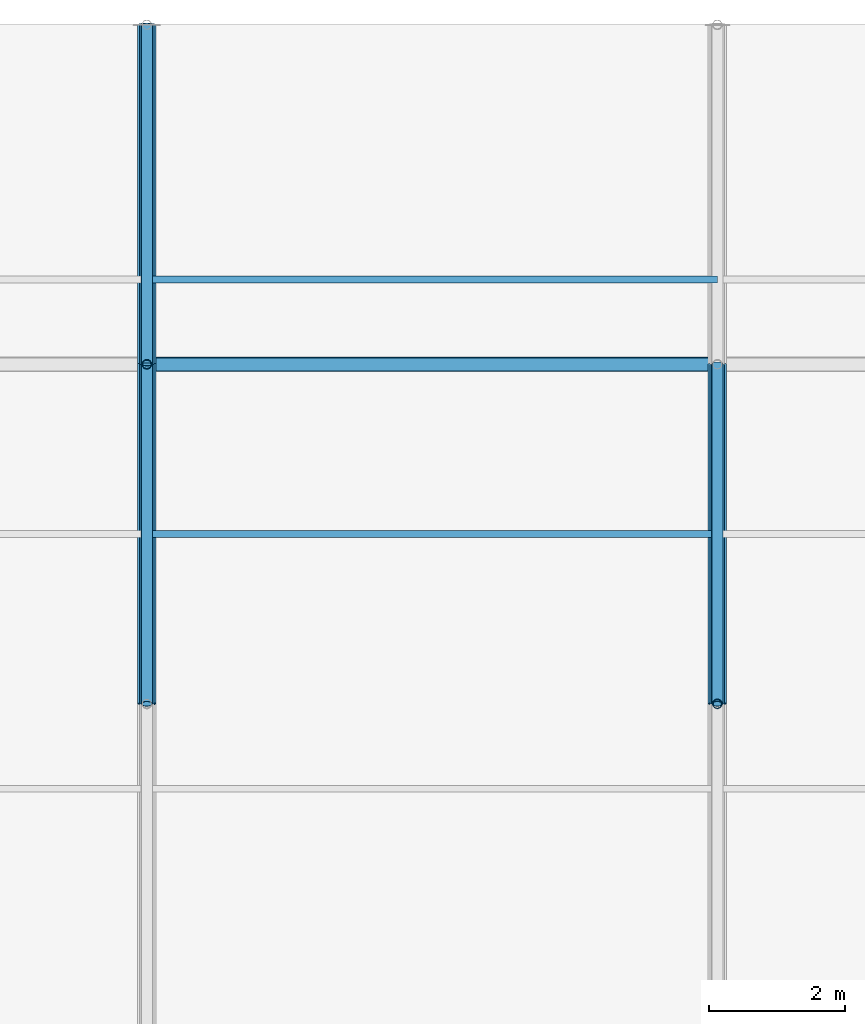
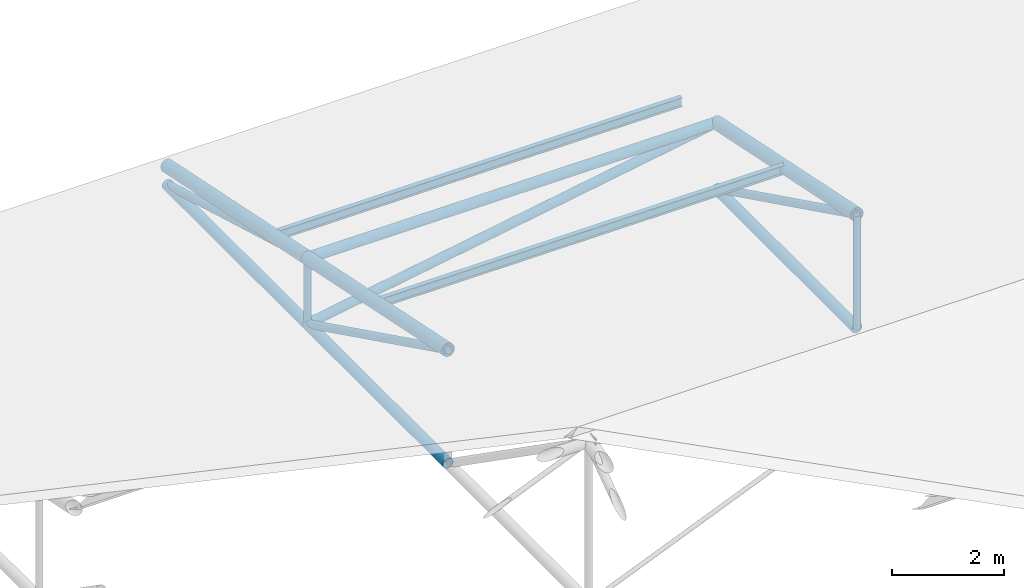
# One storey, part 107 of 194: 13 members, 2 beams.
"""IFC4 building model written with IfcOpenShell, lengths in metres."""

from ifc_helpers import new_model, si_unit, direction, frame, origin, origin_2d, place, context, subcontext, project, spatial, hollow_circle, i_section, extrude, material, material_profile, profile_set, type_object, element, save


model = new_model("IFC4")

# Units and contexts
model_context = context("Model", 3, precision=1e-05, world=origin(), true_north=direction((0.0, 1.0)))
body_context = subcontext(model_context, "Body", "Model", "MODEL_VIEW")
ifc_project = project(units=[si_unit("LENGTHUNIT", "METRE"), si_unit("AREAUNIT", "SQUARE_METRE"), si_unit("VOLUMEUNIT", "CUBIC_METRE"), si_unit("PLANEANGLEUNIT", "RADIAN"), si_unit("MASSUNIT", "GRAM", prefix="KILO")], contexts=[model_context])

# Site, building, storey
site_placement = place(None, origin())
site = spatial("IfcSite", under=ifc_project, at=site_placement, CompositionType="ELEMENT")
building_placement = place(site_placement, origin())
building = spatial("IfcBuilding", under=site, at=building_placement, Name="Kazenagashi Tramway Depot", CompositionType="ELEMENT")
storey_placement = place(building_placement, frame((0.0, 0.0, 23.7)))
storey = spatial("IfcBuildingStorey", under=building, at=storey_placement, Name="ROOF", CompositionType="ELEMENT", Elevation=23.7)

# Beams
ifc_material_1 = material(Name="Steel SN400B", Category="steel")
ifc_material_profile_1 = material_profile(ifc_material_1, i_section(OverallWidth=0.1, OverallDepth=0.2, WebThickness=0.0055, FlangeThickness=0.008, at=origin_2d()), Name="H-200x100x5.5x8")
ifc_profile_set_1 = profile_set([ifc_material_profile_1], Name="Steel SN400B")
beam_type = type_object("IfcBeamType", Name="PR-01", PredefinedType="USERDEFINED", material=ifc_profile_set_1)
for number, where, z_axis, x_axis, name in (
    (1, (162.4, 122.5, -12.13), (1.0, 0.0, 0.0), (0.0, 1.0, 0.0), "Beam PR-01 BM-2212"),
    (2, (162.4, 126.25, -12.955), (1.0, 0.0, 0.0), (0.0, 1.0, 0.0), "Beam PR-01 BM-2230"),
):
    element("IfcBeam", number, at=place(storey_placement, frame(where, z_axis=z_axis, x_axis=x_axis)), inside=storey, type_object=beam_type, Name=name, ObjectType="PURLIN", PredefinedType="USERDEFINED", context=body_context, shape_type="SweptSolid", body=[
        extrude(i_section(OverallWidth=0.1, OverallDepth=0.2, WebThickness=0.0055, FlangeThickness=0.008, at=origin_2d()), origin(), (0.0, 0.0, 1.0), 8.4),
    ])

# Members
ifc_material_2 = material(Name="Steel STK490", Category="steel")
ifc_material_profile_2 = material_profile(ifc_material_2, hollow_circle(Radius=0.1337, WallThickness=0.0093, at=origin_2d()), Name="CHS-267.4x9.3")
ifc_profile_set_2 = profile_set([ifc_material_profile_2], Name="Steel STK490")
member_type_1 = type_object("IfcMemberType", Name="TC-01", PredefinedType="CHORD", material=ifc_profile_set_2)
member_1_placement = place(storey_placement, frame((162.4, 120.0, -11.633), z_axis=(0.0, 0.979279174591, -0.202514933305), x_axis=(-1.0, 0.0, 0.0)))
element("IfcMember", 3, at=member_1_placement, inside=storey, type_object=member_type_1, Name="Tubular Space Frame TC-01 MEM-0898", PredefinedType="CHORD", context=body_context, shape_type="SweptSolid", body=[
    extrude(hollow_circle(Radius=0.1337, WallThickness=0.0093, at=origin_2d()), origin(), (0.0, 0.0, 1.0), 5.105796),
])
member_2_placement = place(storey_placement, frame((162.4, 125.0, -12.667), z_axis=(0.0, 0.979317999984, -0.202327098797), x_axis=(-1.0, 0.0, 0.0)))
element("IfcMember", 4, at=member_2_placement, inside=storey, type_object=member_type_1, Name="Tubular Space Frame TC-01 MEM-0901", PredefinedType="CHORD", context=body_context, shape_type="SweptSolid", body=[
    extrude(hollow_circle(Radius=0.1337, WallThickness=0.0093, at=origin_2d()), origin(), (0.0, 0.0, 1.0), 5.105594),
])
member_3_placement = place(storey_placement, frame((170.8, 120.0, -11.633), z_axis=(0.0, 0.979279174591, -0.202514933305), x_axis=(-1.0, 0.0, 0.0)))
element("IfcMember", 5, at=member_3_placement, inside=storey, type_object=member_type_1, Name="Tubular Space Frame TC-01 MEM-0959", PredefinedType="CHORD", context=body_context, shape_type="SweptSolid", body=[
    extrude(hollow_circle(Radius=0.1337, WallThickness=0.0093, at=origin_2d()), origin(), (0.0, 0.0, 1.0), 5.105796),
])
ifc_material_profile_3 = material_profile(ifc_material_2, hollow_circle(Radius=0.10815, WallThickness=0.0082, at=origin_2d()), Name="CHS-216.3x8.2")
ifc_profile_set_3 = profile_set([ifc_material_profile_3], Name="Steel STK490")
member_type_2 = type_object("IfcMemberType", Name="TC-02", PredefinedType="CHORD", material=ifc_profile_set_3)
for number, where, z_axis, x_axis, name in (
    (6, (162.4, 120.0, -14.1), (0.0, 1.0, 0.0), (-1.0, 0.0, 0.0), "Tubular Space Frame TC-02 MEM-0899"),
    (7, (162.4, 125.0, -14.1), (0.0, 1.0, 0.0), (-1.0, 0.0, 0.0), "Tubular Space Frame TC-02 MEM-0902"),
):
    element("IfcMember", number, at=place(storey_placement, frame(where, z_axis=z_axis, x_axis=x_axis)), inside=storey, type_object=member_type_2, Name=name, PredefinedType="CHORD", context=body_context, shape_type="SweptSolid", body=[
        extrude(hollow_circle(Radius=0.10815, WallThickness=0.0082, at=origin_2d()), origin(), (0.0, 0.0, 1.0), 5.0),
    ])
member_4_placement = place(storey_placement, frame((162.4, 125.0, -12.667), z_axis=(1.0, 0.0, 0.0), x_axis=(0.0, 1.0, 0.0)))
element("IfcMember", 8, at=member_4_placement, inside=storey, type_object=member_type_2, Name="Tubular Space Frame TC-02 MEM-0914", PredefinedType="CHORD", context=body_context, shape_type="SweptSolid", body=[
    extrude(hollow_circle(Radius=0.10815, WallThickness=0.0082, at=origin_2d()), origin(), (0.0, 0.0, 1.0), 8.4),
])
member_5_placement = place(storey_placement, frame((170.8, 120.0, -14.1), z_axis=(0.0, 1.0, 0.0), x_axis=(-1.0, 0.0, 0.0)))
element("IfcMember", 9, at=member_5_placement, inside=storey, type_object=member_type_2, Name="Tubular Space Frame TC-02 MEM-0960", PredefinedType="CHORD", context=body_context, shape_type="SweptSolid", body=[
    extrude(hollow_circle(Radius=0.10815, WallThickness=0.0082, at=origin_2d()), origin(), (0.0, 0.0, 1.0), 5.0),
])
ifc_material_profile_4 = material_profile(ifc_material_2, hollow_circle(Radius=0.0826, WallThickness=0.0071, at=origin_2d()), Name="CHS-165.2x7.1")
ifc_profile_set_4 = profile_set([ifc_material_profile_4], Name="Steel STK490")
member_type_3 = type_object("IfcMemberType", Name="TS-01", PredefinedType="STRUT", material=ifc_profile_set_4)
member_6_placement = place(storey_placement, frame((162.4, 120.0, -11.633), z_axis=(0.0, 0.896782162482, -0.442472318969), x_axis=(-1.0, 0.0, 0.0)))
element("IfcMember", 10, at=member_6_placement, inside=storey, type_object=member_type_3, Name="Tubular Space Frame TS-01 MEM-0900", PredefinedType="STRUT", context=body_context, shape_type="SweptSolid", body=[
    extrude(hollow_circle(Radius=0.0826, WallThickness=0.0071, at=origin_2d()), origin(), (0.0, 0.0, 1.0), 5.57549),
])
member_7_placement = place(storey_placement, frame((162.4, 125.0, -12.667), z_axis=(0.0, 0.961298717795, -0.27550821252), x_axis=(-1.0, 0.0, 0.0)))
element("IfcMember", 11, at=member_7_placement, inside=storey, type_object=member_type_3, Name="Tubular Space Frame TS-01 MEM-0903", PredefinedType="STRUT", context=body_context, shape_type="SweptSolid", body=[
    extrude(hollow_circle(Radius=0.0826, WallThickness=0.0071, at=origin_2d()), origin(), (0.0, 0.0, 1.0), 5.201297),
])
member_8_placement = place(storey_placement, frame((170.8, 120.0, -11.633), z_axis=(0.0, 0.896782162482, -0.442472318969), x_axis=(-1.0, 0.0, 0.0)))
element("IfcMember", 12, at=member_8_placement, inside=storey, type_object=member_type_3, Name="Tubular Space Frame TS-01 MEM-0961", PredefinedType="STRUT", context=body_context, shape_type="SweptSolid", body=[
    extrude(hollow_circle(Radius=0.0826, WallThickness=0.0071, at=origin_2d()), origin(), (0.0, 0.0, 1.0), 5.57549),
])
ifc_material_profile_5 = material_profile(ifc_material_2, hollow_circle(Radius=0.0699, WallThickness=0.0066, at=origin_2d()), Name="CHS-139.8x6.6")
ifc_profile_set_5 = profile_set([ifc_material_profile_5], Name="Steel STK490")
member_type_4 = type_object("IfcMemberType", Name="TS-02", PredefinedType="STRUT", material=ifc_profile_set_5)
member_9_placement = place(storey_placement, frame((162.4, 125.0, -14.1), z_axis=(0.0, 0.0, 1.0), x_axis=(1.0, 0.0, 0.0)))
element("IfcMember", 13, at=member_9_placement, inside=storey, type_object=member_type_4, Name="Tubular Space Frame TS-02 MEM-0908", PredefinedType="STRUT", context=body_context, shape_type="SweptSolid", body=[
    extrude(hollow_circle(Radius=0.0699, WallThickness=0.0066, at=origin_2d()), origin(), (0.0, 0.0, 1.0), 1.433),
])
member_10_placement = place(storey_placement, frame((170.8, 120.0, -14.1), z_axis=(0.0, 0.0, 1.0), x_axis=(1.0, 0.0, 0.0)))
element("IfcMember", 14, at=member_10_placement, inside=storey, type_object=member_type_4, Name="Tubular Space Frame TS-02 MEM-0968", PredefinedType="STRUT", context=body_context, shape_type="SweptSolid", body=[
    extrude(hollow_circle(Radius=0.0699, WallThickness=0.0066, at=origin_2d()), origin(), (0.0, 0.0, 1.0), 2.467),
])
ifc_material_profile_6 = material_profile(ifc_material_2, hollow_circle(Radius=0.09535, WallThickness=0.007, at=origin_2d()), Name="CHS-190.7x7.0")
ifc_profile_set_6 = profile_set([ifc_material_profile_6], Name="Steel STK490")
member_type_5 = type_object("IfcMemberType", Name="TS-05", PredefinedType="STRUT", material=ifc_profile_set_6)
member_11_placement = place(storey_placement, frame((162.4, 125.0, -14.1), z_axis=(0.985758734117, 0.0, 0.168165745951), x_axis=(0.0, 1.0, 0.0)))
element("IfcMember", 15, at=member_11_placement, inside=storey, type_object=member_type_5, Name="Tubular Space Frame TS-05 MEM-0915", PredefinedType="STRUT", context=body_context, shape_type="SweptSolid", body=[
    extrude(hollow_circle(Radius=0.09535, WallThickness=0.007, at=origin_2d()), origin(), (0.0, 0.0, 1.0), 8.521355),
])

save(model, "model.ifc")
